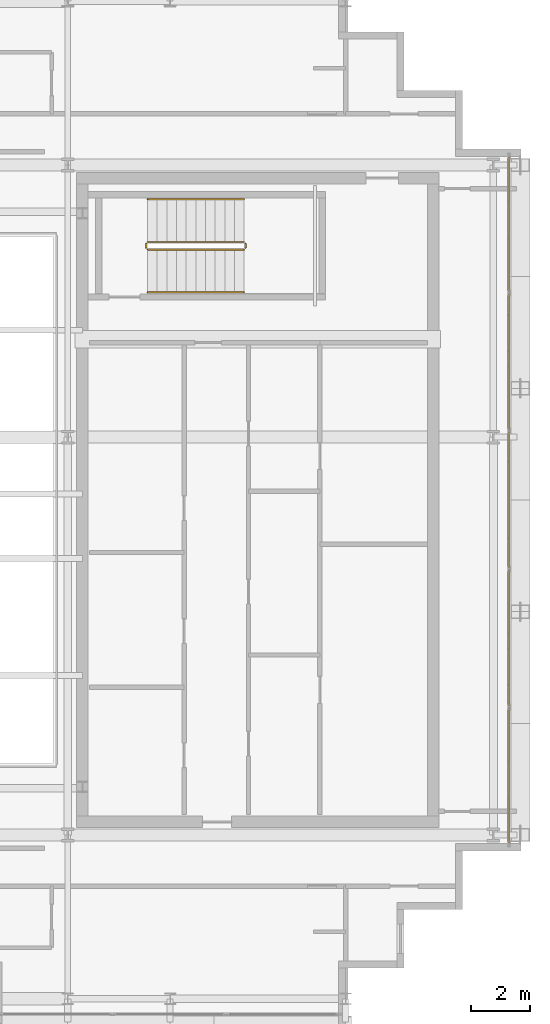
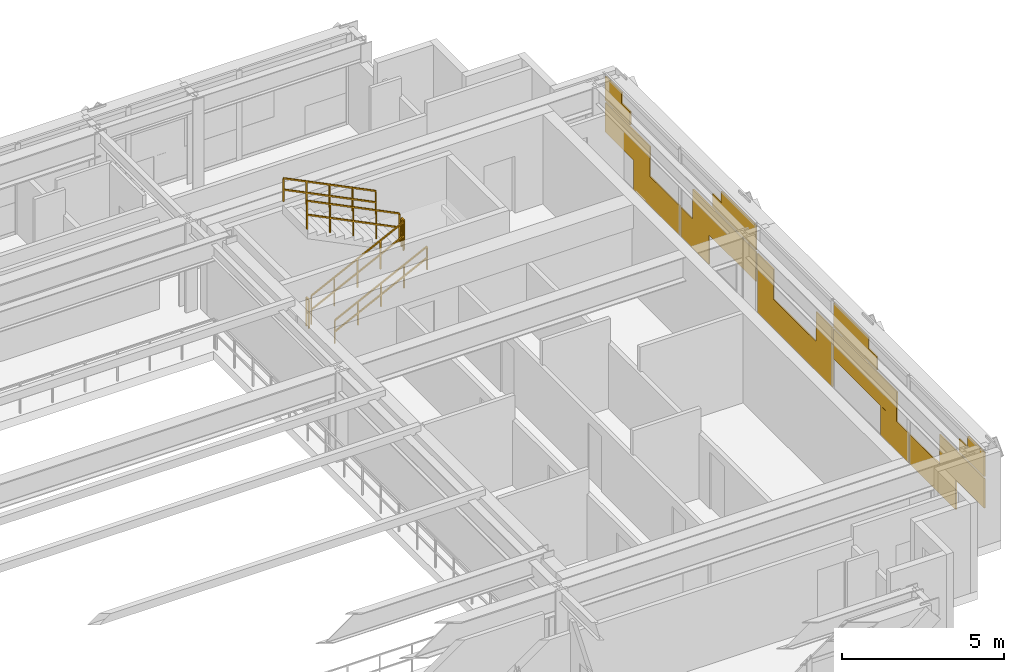
# One storey, part 28 of 29: 6 railings, 1 covering.
"""IFC4 building model written with IfcOpenShell, lengths in metres."""

from ifc_helpers import new_model, si_unit, direction, frame, origin, origin_2d, place, context, subcontext, project, spatial, rectangle, extrude, material, layer, layer_set, type_object, element, save


model = new_model("IFC4")

# Units and contexts
model_context = context("Model", 3, precision=1e-05, world=origin(), true_north=direction((0.0, 1.0)))
body_context = subcontext(model_context, "Body", "Model", "MODEL_VIEW")
ifc_project = project(units=[si_unit("LENGTHUNIT", "METRE"), si_unit("AREAUNIT", "SQUARE_METRE"), si_unit("VOLUMEUNIT", "CUBIC_METRE"), si_unit("PLANEANGLEUNIT", "RADIAN"), si_unit("MASSUNIT", "GRAM", prefix="KILO")], contexts=[model_context])

# Site, building, storey
site_placement = place(None, origin())
site = spatial("IfcSite", under=ifc_project, at=site_placement, CompositionType="ELEMENT")
building_placement = place(site_placement, origin())
building = spatial("IfcBuilding", under=site, at=building_placement, Name="Ocotamira Hotel", CompositionType="ELEMENT")
storey_placement = place(building_placement, frame((0.0, 0.0, 247.199951171875)))
storey = spatial("IfcBuildingStorey", under=building, at=storey_placement, Name="L62", CompositionType="ELEMENT", Elevation=247.199951171875)

# Covering
ifc_material_1 = material(Name="Insulated pale-metal aluminium spandrel panel", Category="aluminium")
ifc_layer = layer(ifc_material_1, 0.044921875)
ifc_layer_set = layer_set([ifc_layer], Name="Insulated pale-metal aluminium spandrel panel")
covering_type = type_object("IfcCoveringType", Name="COV-INFILL-45", PredefinedType="CLADDING", material=ifc_layer_set)
covering_placement = place(storey_placement, origin())
element("IfcCovering", 1, at=covering_placement, inside=storey, type_object=covering_type, Name="L62 Curtain Wall Infill CW-5 CW-L62-E", PredefinedType="CLADDING", context=body_context, shape_type="SweptSolid", body=[
    extrude(rectangle(XDim=2.76904296875, YDim=0.044921875, at=origin_2d()), frame((55.580078125, 15.6650390625, 1.1943359375), z_axis=(0.0, 0.0, 1.0), x_axis=(0.0, 1.0, 0.0)), (0.0, 0.0, 1.0), 1.11767578125),
    extrude(rectangle(XDim=2.834716796875, YDim=0.044921875, at=origin_2d()), frame((55.580078125, 17.462158203125, 0.07568359375), z_axis=(0.0, 0.0, 1.0), x_axis=(0.0, 1.0, 0.0)), (0.0, 0.0, 1.0), 1.117919921875),
    extrude(rectangle(XDim=1.53759765625, YDim=0.044921875, at=origin_2d()), frame((55.580078125, 15.04931640625, 2.38818359375), z_axis=(0.0, 0.0, 1.0), x_axis=(0.0, 1.0, 0.0)), (0.0, 0.0, 1.0), 0.507568359375),
    extrude(rectangle(XDim=1.01318359375, YDim=0.044921875, at=origin_2d()), frame((55.580078125, 14.787109375, 2.896484375), z_axis=(0.0, 0.0, 1.0), x_axis=(0.0, 1.0, 0.0)), (0.0, 0.0, 1.0), 0.407958984375),
    extrude(rectangle(XDim=1.727783203125, YDim=0.044921875, at=origin_2d()), frame((55.580078125, 19.824462890625, 0.07568359375), z_axis=(0.0, 0.0, 1.0), x_axis=(0.0, 1.0, 0.0)), (0.0, 0.0, 1.0), 1.117919921875),
    extrude(rectangle(XDim=3.916015625, YDim=0.044921875, at=origin_2d()), frame((55.580078125, 21.6416015625, 1.1943359375), z_axis=(0.0, 0.0, 1.0), x_axis=(0.0, 1.0, 0.0)), (0.0, 0.0, 1.0), 1.11767578125),
    extrude(rectangle(XDim=2.6845703125, YDim=0.044921875, at=origin_2d()), frame((55.580078125, 22.25732421875, 2.38818359375), z_axis=(0.0, 0.0, 1.0), x_axis=(0.0, 1.0, 0.0)), (0.0, 0.0, 1.0), 0.507568359375),
    extrude(rectangle(XDim=2.159912109375, YDim=0.044921875, at=origin_2d()), frame((55.580078125, 22.51953125, 2.896484375), z_axis=(0.0, 0.0, 1.0), x_axis=(0.0, 1.0, 0.0)), (0.0, 0.0, 1.0), 0.407958984375),
    extrude(rectangle(XDim=4.638916015625, YDim=0.044921875, at=origin_2d()), frame((55.580078125, 26.0, 0.07568359375), z_axis=(0.0, 0.0, 1.0), x_axis=(0.0, 1.0, 0.0)), (0.0, 0.0, 1.0), 1.117919921875),
    extrude(rectangle(XDim=1.00244140625, YDim=0.044921875, at=origin_2d()), frame((55.580078125, 24.181640625, 1.1943359375), z_axis=(0.0, 0.0, 1.0), x_axis=(0.0, 1.0, 0.0)), (0.0, 0.0, 1.0), 1.11767578125),
    extrude(rectangle(XDim=1.00244140625, YDim=0.044921875, at=origin_2d()), frame((55.580078125, 27.818359375, 1.1943359375), z_axis=(0.0, 0.0, 1.0), x_axis=(0.0, 1.0, 0.0)), (0.0, 0.0, 1.0), 1.11767578125),
    extrude(rectangle(XDim=3.916015625, YDim=0.044921875, at=origin_2d()), frame((55.580078125, 30.3583984375, 1.1943359375), z_axis=(0.0, 0.0, 1.0), x_axis=(0.0, 1.0, 0.0)), (0.0, 0.0, 1.0), 1.11767578125),
    extrude(rectangle(XDim=1.727783203125, YDim=0.044921875, at=origin_2d()), frame((55.580078125, 32.175537109375, 0.07568359375), z_axis=(0.0, 0.0, 1.0), x_axis=(0.0, 1.0, 0.0)), (0.0, 0.0, 1.0), 1.117919921875),
    extrude(rectangle(XDim=2.6845703125, YDim=0.044921875, at=origin_2d()), frame((55.580078125, 29.74267578125, 2.38818359375), z_axis=(0.0, 0.0, 1.0), x_axis=(0.0, 1.0, 0.0)), (0.0, 0.0, 1.0), 0.507568359375),
    extrude(rectangle(XDim=2.159912109375, YDim=0.044921875, at=origin_2d()), frame((55.580078125, 29.48046875, 2.896484375), z_axis=(0.0, 0.0, 1.0), x_axis=(0.0, 1.0, 0.0)), (0.0, 0.0, 1.0), 0.407958984375),
    extrude(rectangle(XDim=2.834716796875, YDim=0.044921875, at=origin_2d()), frame((55.580078125, 34.537841796875, 0.07568359375), z_axis=(0.0, 0.0, 1.0), x_axis=(0.0, 1.0, 0.0)), (0.0, 0.0, 1.0), 1.117919921875),
    extrude(rectangle(XDim=2.76904296875, YDim=0.044921875, at=origin_2d()), frame((55.580078125, 36.3349609375, 1.1943359375), z_axis=(0.0, 0.0, 1.0), x_axis=(0.0, 1.0, 0.0)), (0.0, 0.0, 1.0), 1.11767578125),
    extrude(rectangle(XDim=1.53759765625, YDim=0.044921875, at=origin_2d()), frame((55.580078125, 36.95068359375, 2.38818359375), z_axis=(0.0, 0.0, 1.0), x_axis=(0.0, 1.0, 0.0)), (0.0, 0.0, 1.0), 0.507568359375),
    extrude(rectangle(XDim=1.01318359375, YDim=0.044921875, at=origin_2d()), frame((55.580078125, 37.212890625, 2.896484375), z_axis=(0.0, 0.0, 1.0), x_axis=(0.0, 1.0, 0.0)), (0.0, 0.0, 1.0), 0.407958984375),
])

# Railings
ifc_material_2 = material(Name="Brushed stainless steel handrail", Category="steel")
railing_type_1 = type_object("IfcRailingType", Name="RL-HAND-900", PredefinedType="HANDRAIL", material=ifc_material_2)
railing_1_placement = place(storey_placement, frame((43.22998046875, 33.10009765625, 0.327392578125)))
element("IfcRailing", 2, at=railing_1_placement, inside=storey, type_object=railing_type_1, Name="L62 ST-4 stair handrail 1", PredefinedType="HANDRAIL", context=body_context, shape_type="SweptSolid", body=[
    extrude(rectangle(XDim=0.048095703125, YDim=0.048095703125, at=origin_2d()), frame((0.0, 0.0, 0.8759765625), z_axis=(0.895920123917, 0.0, 0.444215186098), x_axis=(0.0, 1.0, 0.0)), (0.0, 0.0, 1.0), 3.683349609375),
    extrude(rectangle(XDim=0.048095703125, YDim=0.048095703125, at=origin_2d()), frame((0.0, 0.0, 0.449951171875), z_axis=(0.895920123917, 0.0, 0.444215186098), x_axis=(0.0, 1.0, 0.0)), (0.0, 0.0, 1.0), 3.683349609375),
    extrude(rectangle(XDim=0.0419921875, YDim=0.0419921875, at=origin_2d()), origin(), (0.0, 0.0, 1.0), 0.851806640625),
    extrude(rectangle(XDim=0.0419921875, YDim=0.0419921875, at=origin_2d()), frame((0.824951171875, 0.0, 0.4091796875)), (0.0, 0.0, 1.0), 0.851806640625),
    extrude(rectangle(XDim=0.0419921875, YDim=0.0419921875, at=origin_2d()), frame((1.64990234375, 0.0, 0.818115234375)), (0.0, 0.0, 1.0), 0.851806640625),
    extrude(rectangle(XDim=0.0419921875, YDim=0.0419921875, at=origin_2d()), frame((2.47509765625, 0.0, 1.22705078125)), (0.0, 0.0, 1.0), 0.851806640625),
    extrude(rectangle(XDim=0.0419921875, YDim=0.0419921875, at=origin_2d()), frame((3.300048828125, 0.0, 1.63623046875)), (0.0, 0.0, 1.0), 0.851806640625),
])
railing_2_placement = place(storey_placement, frame((46.530029296875, 36.280029296875, 2.12744140625)))
element("IfcRailing", 3, at=railing_2_placement, inside=storey, type_object=railing_type_1, Name="L62 ST-4 stair handrail 2", PredefinedType="HANDRAIL", context=body_context, shape_type="SweptSolid", body=[
    extrude(rectangle(XDim=0.048095703125, YDim=0.048095703125, at=origin_2d()), frame((0.0, 0.0, 0.8759765625), z_axis=(-0.895920123917, 0.0, 0.444215186098), x_axis=(0.0, -1.0, 0.0)), (0.0, 0.0, 1.0), 3.683349609375),
    extrude(rectangle(XDim=0.048095703125, YDim=0.048095703125, at=origin_2d()), frame((0.0, 0.0, 0.449951171875), z_axis=(-0.895920123917, 0.0, 0.444215186098), x_axis=(0.0, -1.0, 0.0)), (0.0, 0.0, 1.0), 3.683349609375),
    extrude(rectangle(XDim=0.0419921875, YDim=0.0419921875, at=origin_2d()), origin(), (0.0, 0.0, 1.0), 0.851806640625),
    extrude(rectangle(XDim=0.0419921875, YDim=0.0419921875, at=origin_2d()), frame((-0.824951171875, 0.0, 0.4091796875)), (0.0, 0.0, 1.0), 0.851806640625),
    extrude(rectangle(XDim=0.0419921875, YDim=0.0419921875, at=origin_2d()), frame((-1.64990234375, 0.0, 0.818115234375)), (0.0, 0.0, 1.0), 0.851806640625),
    extrude(rectangle(XDim=0.0419921875, YDim=0.0419921875, at=origin_2d()), frame((-2.47509765625, 0.0, 1.22705078125)), (0.0, 0.0, 1.0), 0.851806640625),
    extrude(rectangle(XDim=0.0419921875, YDim=0.0419921875, at=origin_2d()), frame((-3.300048828125, 0.0, 1.63623046875)), (0.0, 0.0, 1.0), 0.851806640625),
])
ifc_material_3 = material(Name="Painted steel stair guardrail", Category="steel")
railing_type_2 = type_object("IfcRailingType", Name="RL-STAIR-1100", PredefinedType="GUARDRAIL", material=ifc_material_3)
railing_3_placement = place(storey_placement, frame((43.22998046875, 34.56005859375, 0.16357421875)))
element("IfcRailing", 4, at=railing_3_placement, inside=storey, type_object=railing_type_2, Name="L62 ST-4 stair guard 1", PredefinedType="GUARDRAIL", context=body_context, shape_type="SweptSolid", body=[
    extrude(rectangle(XDim=0.048095703125, YDim=0.048095703125, at=origin_2d()), frame((0.0, 0.0, 1.076171875), z_axis=(0.895893744519, 0.0, 0.4442683857), x_axis=(0.0, 1.0, 0.0)), (0.0, 0.0, 1.0), 3.68359375),
    extrude(rectangle(XDim=0.048095703125, YDim=0.048095703125, at=origin_2d()), frame((0.0, 0.0, 0.550048828125), z_axis=(0.895893744519, 0.0, 0.4442683857), x_axis=(0.0, 1.0, 0.0)), (0.0, 0.0, 1.0), 3.68359375),
    extrude(rectangle(XDim=0.0419921875, YDim=0.0419921875, at=origin_2d()), origin(), (0.0, 0.0, 1.0), 1.052001953125),
    extrude(rectangle(XDim=0.0419921875, YDim=0.0419921875, at=origin_2d()), frame((0.824951171875, 0.0, 0.4091796875)), (0.0, 0.0, 1.0), 1.052001953125),
    extrude(rectangle(XDim=0.0419921875, YDim=0.0419921875, at=origin_2d()), frame((1.64990234375, 0.0, 0.818359375)), (0.0, 0.0, 1.0), 1.052001953125),
    extrude(rectangle(XDim=0.0419921875, YDim=0.0419921875, at=origin_2d()), frame((2.47509765625, 0.0, 1.227294921875)), (0.0, 0.0, 1.0), 1.052001953125),
    extrude(rectangle(XDim=0.0419921875, YDim=0.0419921875, at=origin_2d()), frame((3.300048828125, 0.0, 1.636474609375)), (0.0, 0.0, 1.0), 1.052001953125),
])
railing_4_placement = place(storey_placement, frame((46.580078125, 34.610107421875, 1.800048828125)))
element("IfcRailing", 5, at=railing_4_placement, inside=storey, type_object=railing_type_2, Name="L62 ST-4 stair guard 2", PredefinedType="GUARDRAIL", context=body_context, shape_type="SweptSolid", body=[
    extrude(rectangle(XDim=0.048095703125, YDim=0.048095703125, at=origin_2d()), frame((0.0, 0.0, 1.076171875), z_axis=(0.0, 1.0, 0.0), x_axis=(-1.0, 0.0, 0.0)), (0.0, 0.0, 1.0), 0.159912109375),
    extrude(rectangle(XDim=0.048095703125, YDim=0.048095703125, at=origin_2d()), frame((0.0, 0.0, 0.550048828125), z_axis=(0.0, 1.0, 0.0), x_axis=(-1.0, 0.0, 0.0)), (0.0, 0.0, 1.0), 0.159912109375),
    extrude(rectangle(XDim=0.0419921875, YDim=0.0419921875, at=origin_2d()), origin(), (0.0, 0.0, 1.0), 1.052001953125),
    extrude(rectangle(XDim=0.0419921875, YDim=0.0419921875, at=origin_2d()), frame((0.0, 0.159912109375, 0.0)), (0.0, 0.0, 1.0), 1.052001953125),
])
railing_5_placement = place(storey_placement, frame((46.530029296875, 34.820068359375, 1.963623046875)))
element("IfcRailing", 6, at=railing_5_placement, inside=storey, type_object=railing_type_2, Name="L62 ST-4 stair guard 3", PredefinedType="GUARDRAIL", context=body_context, shape_type="SweptSolid", body=[
    extrude(rectangle(XDim=0.048095703125, YDim=0.048095703125, at=origin_2d()), frame((0.0, 0.0, 1.076171875), z_axis=(-0.895893744519, 0.0, 0.4442683857), x_axis=(0.0, -1.0, 0.0)), (0.0, 0.0, 1.0), 3.68359375),
    extrude(rectangle(XDim=0.048095703125, YDim=0.048095703125, at=origin_2d()), frame((0.0, 0.0, 0.550048828125), z_axis=(-0.895893744519, 0.0, 0.4442683857), x_axis=(0.0, -1.0, 0.0)), (0.0, 0.0, 1.0), 3.68359375),
    extrude(rectangle(XDim=0.0419921875, YDim=0.0419921875, at=origin_2d()), origin(), (0.0, 0.0, 1.0), 1.052001953125),
    extrude(rectangle(XDim=0.0419921875, YDim=0.0419921875, at=origin_2d()), frame((-0.824951171875, 0.0, 0.4091796875)), (0.0, 0.0, 1.0), 1.052001953125),
    extrude(rectangle(XDim=0.0419921875, YDim=0.0419921875, at=origin_2d()), frame((-1.64990234375, 0.0, 0.818359375)), (0.0, 0.0, 1.0), 1.052001953125),
    extrude(rectangle(XDim=0.0419921875, YDim=0.0419921875, at=origin_2d()), frame((-2.47509765625, 0.0, 1.227294921875)), (0.0, 0.0, 1.0), 1.052001953125),
    extrude(rectangle(XDim=0.0419921875, YDim=0.0419921875, at=origin_2d()), frame((-3.300048828125, 0.0, 1.636474609375)), (0.0, 0.0, 1.0), 1.052001953125),
])
railing_6_placement = place(storey_placement, frame((43.179931640625, 34.610107421875, 0.0)))
element("IfcRailing", 7, at=railing_6_placement, inside=storey, type_object=railing_type_2, Name="L62 ST-4 stair guard 4", PredefinedType="GUARDRAIL", context=body_context, shape_type="SweptSolid", body=[
    extrude(rectangle(XDim=0.048095703125, YDim=0.048095703125, at=origin_2d()), frame((0.0, 0.0, 1.076171875), z_axis=(0.0, 1.0, 0.0), x_axis=(-1.0, 0.0, 0.0)), (0.0, 0.0, 1.0), 0.159912109375),
    extrude(rectangle(XDim=0.048095703125, YDim=0.048095703125, at=origin_2d()), frame((0.0, 0.0, 0.550048828125), z_axis=(0.0, 1.0, 0.0), x_axis=(-1.0, 0.0, 0.0)), (0.0, 0.0, 1.0), 0.159912109375),
    extrude(rectangle(XDim=0.0419921875, YDim=0.0419921875, at=origin_2d()), origin(), (0.0, 0.0, 1.0), 1.052001953125),
    extrude(rectangle(XDim=0.0419921875, YDim=0.0419921875, at=origin_2d()), frame((0.0, 0.159912109375, 0.0)), (0.0, 0.0, 1.0), 1.052001953125),
])

save(model, "model.ifc")
